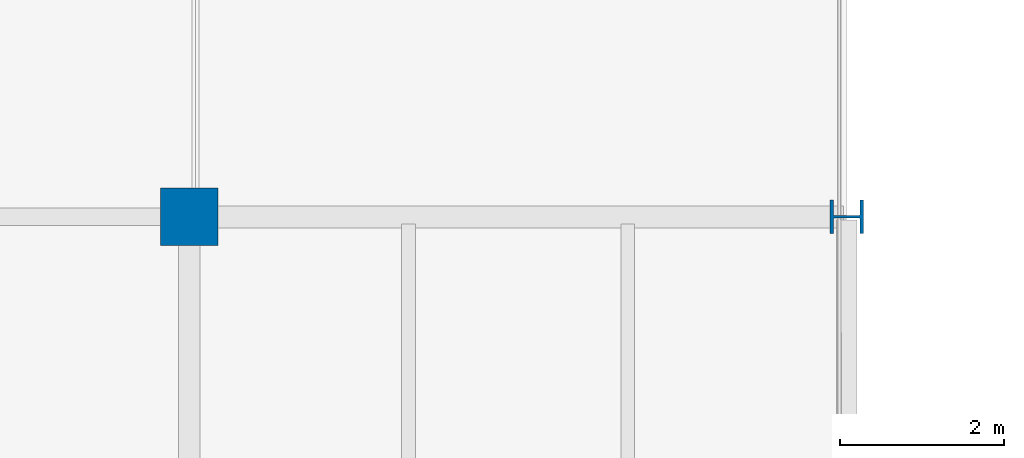
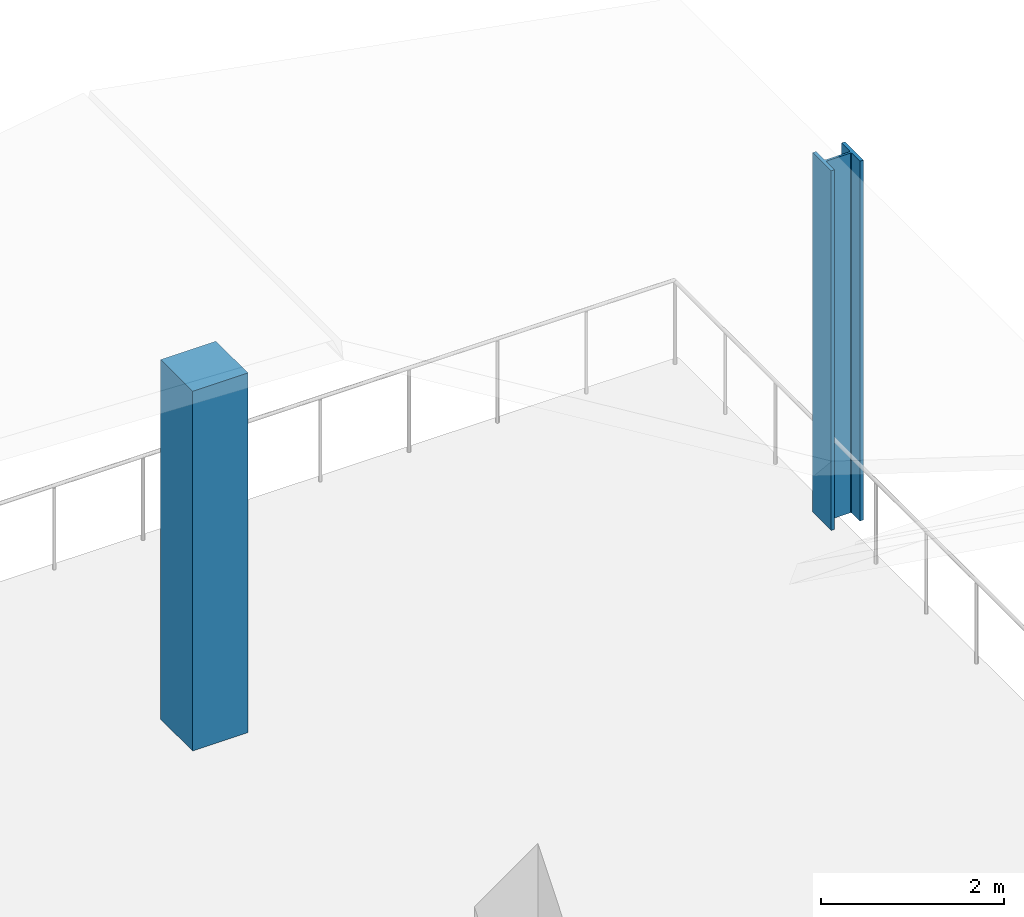
# One storey, part 7 of 30: 2 columns.
"""IFC4 building model written with IfcOpenShell, lengths in metres."""

from ifc_helpers import new_model, si_unit, direction, frame, origin, origin_2d, place, context, subcontext, project, spatial, rectangle, i_section, extrude, material, material_profile, profile_set, type_object, element, save


model = new_model("IFC4")

# Units and contexts
model_context = context("Model", 3, precision=1e-05, world=origin(), true_north=direction((0.0, 1.0)))
body_context = subcontext(model_context, "Body", "Model", "MODEL_VIEW")
ifc_project = project(units=[si_unit("LENGTHUNIT", "METRE"), si_unit("AREAUNIT", "SQUARE_METRE"), si_unit("VOLUMEUNIT", "CUBIC_METRE"), si_unit("PLANEANGLEUNIT", "RADIAN"), si_unit("MASSUNIT", "GRAM", prefix="KILO")], contexts=[model_context])

# Site, building, storey
site_placement = place(None, origin())
site = spatial("IfcSite", under=ifc_project, at=site_placement, CompositionType="ELEMENT")
building_placement = place(site_placement, origin())
building = spatial("IfcBuilding", under=site, at=building_placement, Name="Brisemont Oceanarium", CompositionType="ELEMENT")
storey_placement = place(building_placement, frame((0.0, 0.0, 19.800048828125)))
storey = spatial("IfcBuildingStorey", under=building, at=storey_placement, Name="L04", CompositionType="ELEMENT", Elevation=19.800048828125)

# Columns
ifc_material_1 = material(Name="Concrete C35/45", Category="concrete")
ifc_material_profile_1 = material_profile(ifc_material_1, rectangle(XDim=0.699951171875, YDim=0.699951171875, at=origin_2d()), Name="RC-COL-700X700")
ifc_profile_set_1 = profile_set([ifc_material_profile_1], Name="Concrete C35/45")
column_type_1 = type_object("IfcColumnType", Name="COL-RC700", PredefinedType="COLUMN", material=ifc_profile_set_1)
column_1_placement = place(storey_placement, frame((120.0, 100.5, 0.0), z_axis=(0.0, 0.0, 1.0), x_axis=(1.0, 0.0, 0.0)))
element("IfcColumn", 1, at=column_1_placement, inside=storey, type_object=column_type_1, Name="V6 L04 column (1,3)", PredefinedType="COLUMN", context=body_context, shape_type="SweptSolid", body=[
    extrude(rectangle(XDim=0.699951171875, YDim=0.699951171875, at=origin_2d()), origin(), (0.0, 0.0, 1.0), 4.800048828125),
])
ifc_material_2 = material(Name="Structural Steel ASTM A992 Gr.50", Category="steel")
ifc_material_profile_2 = material_profile(ifc_material_2, i_section(OverallWidth=0.404052734375, OverallDepth=0.406982421875, WebThickness=0.027099609375, FlangeThickness=0.043701171875, FilletRadius=0.014892578125, at=origin_2d()), Name="W14X233")
ifc_profile_set_2 = profile_set([ifc_material_profile_2], Name="Structural Steel ASTM A992 Gr.50")
column_type_2 = type_object("IfcColumnType", Name="COL-W14X233", PredefinedType="COLUMN", material=ifc_profile_set_2)
column_2_placement = place(storey_placement, frame((128.0, 100.5, 0.0), z_axis=(0.0, 0.0, 1.0), x_axis=(0.0, 1.0, 0.0)))
element("IfcColumn", 2, at=column_2_placement, inside=storey, type_object=column_type_2, Name="V6 L04 column (2,3)", PredefinedType="COLUMN", context=body_context, shape_type="SweptSolid", body=[
    extrude(i_section(OverallWidth=0.404052734375, OverallDepth=0.406982421875, WebThickness=0.027099609375, FlangeThickness=0.043701171875, FilletRadius=0.014892578125, at=origin_2d()), origin(), (0.0, 0.0, 1.0), 4.800048828125),
])

save(model, "model.ifc")
